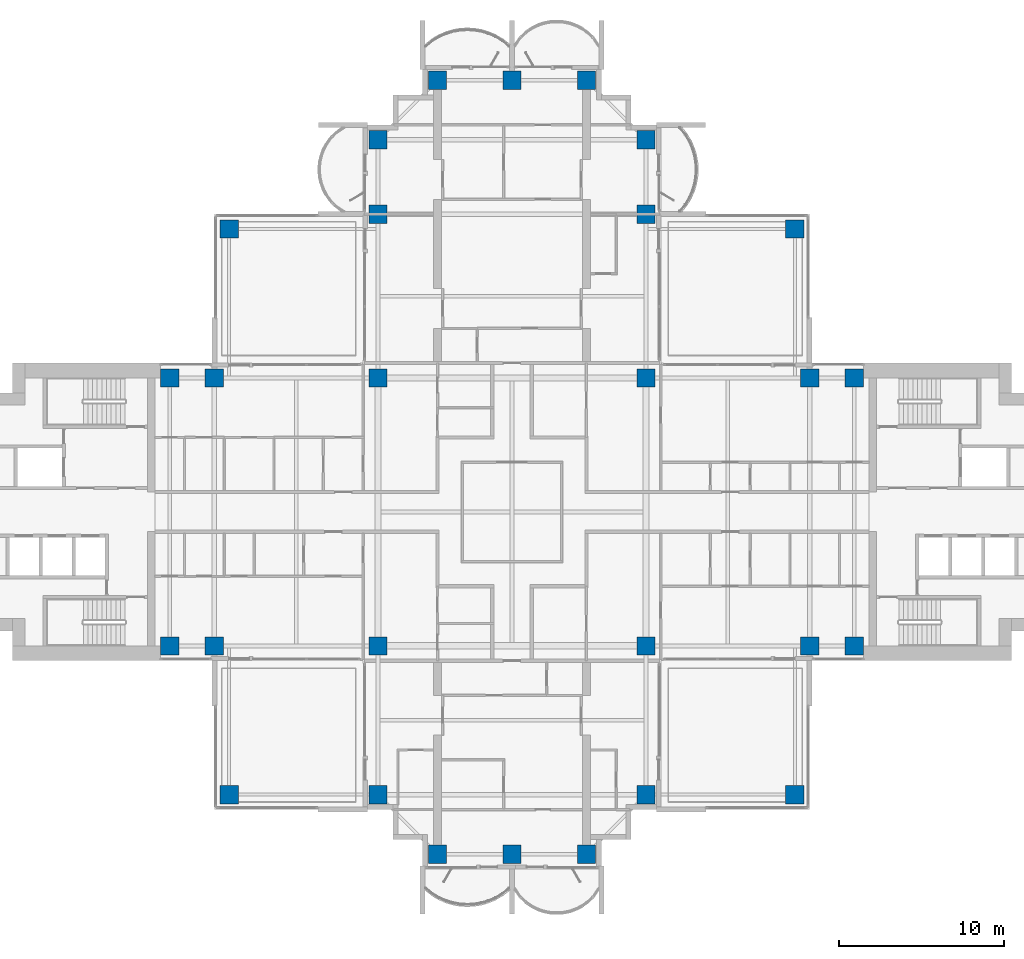
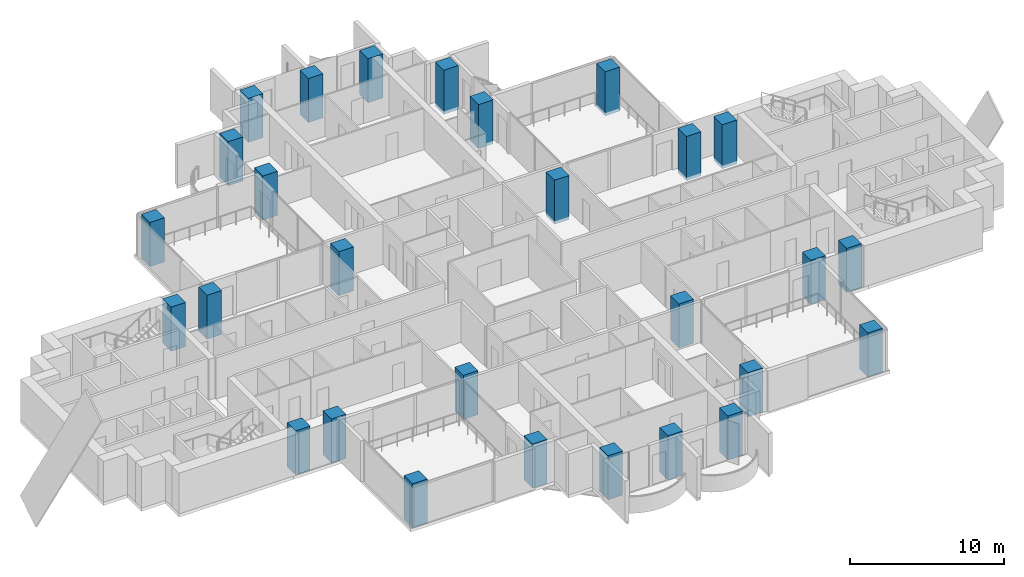
# One storey, part 1 of 18: 28 columns.
"""IFC4 building model written with IfcOpenShell, lengths in metres."""

import ifcopenshell
import ifcopenshell.guid

model = None  # the IFC model being written
_history = None  # IfcOwnerHistory: only IFC2X3 demands one
_inside = {}  # id of a spatial element -> (the spatial element, [elements in it])
_under = {}  # id of a project, library or spatial element -> (it, [spatial elements below it])
_declared = {}  # id of a project -> (the project, [libraries it declares])
_typed = {}  # id of a type object -> (the type object, [elements of that type])
_made_of = {}  # id of a material, layer set ... -> (it, [elements and type objects made of it])


def new_model(schema):
    """Start an empty IFC model of exactly this schema.

    Asked for "IFC4X3", IfcOpenShell would pick the latest addendum, in which some entities
    have other attributes; the version numbers below select the first issue.
    IFC2X3 requires an IfcOwnerHistory on every rooted entity: one is made here for all.
    """
    global model, _history
    if schema == "IFC4X3":
        model = ifcopenshell.file(schema_version=(4, 3, 0, 0))
    else:
        model = ifcopenshell.file(schema=schema)
    _inside.clear()
    _under.clear()
    _declared.clear()
    _typed.clear()
    _made_of.clear()
    _history = None
    if model.schema == "IFC2X3":
        org = make("IfcOrganization", Name="unknown")
        user = make(
            "IfcPersonAndOrganization",
            ThePerson=make("IfcPerson", FamilyName="unknown"),
            TheOrganization=org,
        )
        app = make(
            "IfcApplication",
            ApplicationDeveloper=org,
            Version="unknown",
            ApplicationFullName="unknown",
            ApplicationIdentifier="unknown",
        )
        _history = make(
            "IfcOwnerHistory",
            OwningUser=user,
            OwningApplication=app,
            ChangeAction="ADDED",
            CreationDate=0,
        )
    return model


def make(cls, **values):
    """One entity of the class cls with the attributes given. An attribute that is None is left unset."""
    return model.create_entity(
        cls, **{name: value for name, value in values.items() if value is not None}
    )


def rooted(cls, **values):
    """An entity with a GlobalId (a new one), such as an element, a storey or a relation."""
    return make(cls, GlobalId=ifcopenshell.guid.new(), OwnerHistory=_history, **values)


def si_unit(unit_type, name, prefix=None):
    """IfcSIUnit, for example si_unit("LENGTHUNIT", "METRE", prefix="MILLI")."""
    return make("IfcSIUnit", UnitType=unit_type, Prefix=prefix, Name=name)


def assignment(units):
    """IfcUnitAssignment: the units of a project."""
    return None if units is None else make("IfcUnitAssignment", Units=units)


def point(xyz):
    """IfcCartesianPoint."""
    return None if xyz is None else make("IfcCartesianPoint", Coordinates=xyz)


def direction(xyz):
    """IfcDirection."""
    return None if xyz is None else make("IfcDirection", DirectionRatios=xyz)


def frame(location, z_axis=None, x_axis=None):
    """IfcAxis2Placement3D, a coordinate frame: its origin and axes. An axis left out is left unset."""
    return make(
        "IfcAxis2Placement3D",
        Location=point(location),
        Axis=direction(z_axis),
        RefDirection=direction(x_axis),
    )


def frame_2d(location, x_axis=None):
    """IfcAxis2Placement2D, a coordinate frame in the plane: its origin and x axis."""
    return make(
        "IfcAxis2Placement2D", Location=point(location), RefDirection=direction(x_axis)
    )


def origin():
    """The frame at (0, 0, 0) with its axes left unset."""
    return frame((0.0, 0.0, 0.0))


def origin_2d():
    """The frame at (0, 0) in the plane with its x axis left unset."""
    return frame_2d((0.0, 0.0))


def place(relative_to, where):
    """IfcLocalPlacement: puts the frame where relative to a parent placement (None: the world)."""
    return make(
        "IfcLocalPlacement", PlacementRelTo=relative_to, RelativePlacement=where
    )


def context(
    kind, dimensions, precision=None, world=None, true_north=None, identifier=None
):
    """IfcGeometricRepresentationContext, for example the 3D "Model" context."""
    return make(
        "IfcGeometricRepresentationContext",
        ContextIdentifier=identifier,
        ContextType=kind,
        CoordinateSpaceDimension=dimensions,
        Precision=precision,
        WorldCoordinateSystem=world,
        TrueNorth=true_north,
    )


def subcontext(parent, identifier, kind, view, scale=None):
    """IfcGeometricRepresentationSubContext, for example "Body" below "Model"."""
    return make(
        "IfcGeometricRepresentationSubContext",
        ContextIdentifier=identifier,
        ContextType=kind,
        ParentContext=parent,
        TargetScale=scale,
        TargetView=view,
    )


def project(units=None, contexts=None):
    """IfcProject with its units and contexts."""
    return rooted(
        "IfcProject",
        Name="project",
        RepresentationContexts=contexts,
        UnitsInContext=assignment(units),
    )


def spatial(cls, under=None, at=None, **own):
    """A site, building, storey or space (cls), placed at a placement, below another one or the project."""
    s = rooted(cls, ObjectPlacement=at, **own)
    if under is not None:
        _under.setdefault(under.id(), (under, []))[1].append(s)
    return s


def profile(cls, at=None, kind="AREA", **sizes):
    """A parametric profile (cls). Its sizes go by their IFC names, for example OverallWidth=200.0."""
    return make(cls, ProfileType=kind, Position=at, **sizes)


def rectangle(**sizes):
    """IfcRectangleProfileDef."""
    return profile("IfcRectangleProfileDef", **sizes)


def extrude(swept, where, along, depth):
    """IfcExtrudedAreaSolid: the profile swept, set in the frame where, extruded along a direction by depth."""
    return make(
        "IfcExtrudedAreaSolid",
        SweptArea=swept,
        Position=where,
        ExtrudedDirection=direction(along),
        Depth=depth,
    )


def shape(context_of_items, identifier, shape_type, items):
    """IfcShapeRepresentation: the items that make up one representation, for example the "Body"."""
    return make(
        "IfcShapeRepresentation",
        ContextOfItems=context_of_items,
        RepresentationIdentifier=identifier,
        RepresentationType=shape_type,
        Items=items,
    )


def material(Name=None, Category=None):
    """IfcMaterial."""
    return make("IfcMaterial", Name=Name, Category=Category)


def material_profile(
    of_material, cross_section, Name=None, Category=None, Priority=None
):
    """IfcMaterialProfile: a cross section and its material."""
    return make(
        "IfcMaterialProfile",
        Name=Name,
        Material=of_material,
        Profile=cross_section,
        Priority=Priority,
        Category=Category,
    )


def profile_set(profiles, Name=None, composite=None):
    """IfcMaterialProfileSet."""
    return make(
        "IfcMaterialProfileSet",
        Name=Name,
        MaterialProfiles=profiles,
        CompositeProfile=composite,
    )


def made_of(thing, what):
    """Note that an element or type object is made of a material, layer set ...; save() writes the relation."""
    if what is not None:
        _made_of.setdefault(what.id(), (what, []))[1].append(thing)
    return thing


def type_object(cls, material=None, **own):
    """A type object (cls), such as IfcWallType, which elements share."""
    return made_of(rooted(cls, **own), material)


def element(
    cls,
    number,
    at=None,
    inside=None,
    cuts=None,
    type_object=None,
    material=None,
    context=None,
    identifier="Body",
    shape_type=None,
    held_by="IfcProductDefinitionShape",
    body=None,
    shapes=None,
    **own,
):
    """One element of the class cls, such as IfcWall. Its Tag is "e" and its number.

    at: its placement. inside: the storey or other place that contains it. cuts: it is an
    opening in that element (IfcRelVoidsElement). A single representation is given by context,
    identifier, shape_type and body (its items); several are given by shapes. held_by: the class
    of the entity that holds the representations. save() writes the other relations.
    """
    e = rooted(cls, Tag="e%d" % number, ObjectPlacement=at, **own)
    if body is not None:
        shapes = [shape(context, identifier, shape_type, body)]
    if shapes is not None:
        e.Representation = make(held_by, Representations=shapes)
    if inside is not None:
        _inside.setdefault(inside.id(), (inside, []))[1].append(e)
    if cuts is not None:
        rooted(
            "IfcRelVoidsElement", RelatingBuildingElement=cuts, RelatedOpeningElement=e
        )
    if type_object is not None:
        _typed.setdefault(type_object.id(), (type_object, []))[1].append(e)
    return made_of(e, material)


def aggregate(whole, parts):
    """IfcRelAggregates: a whole, such as a stair, and the parts it consists of."""
    return rooted("IfcRelAggregates", RelatingObject=whole, RelatedObjects=parts)


def save(model, path):
    """Write the relations noted so far, then the file.

    IfcRelAggregates (storeys below a building ...), IfcRelContainedInSpatialStructure (elements
    in a storey), IfcRelDefinesByType, IfcRelAssociatesMaterial and IfcRelDeclares: one each for
    every whole, place, type object, material and project.
    """
    for whole, parts in _under.values():
        aggregate(whole, parts)
    for where, things in _inside.values():
        rooted(
            "IfcRelContainedInSpatialStructure",
            RelatedElements=things,
            RelatingStructure=where,
        )
    for kind, things in _typed.values():
        rooted("IfcRelDefinesByType", RelatedObjects=things, RelatingType=kind)
    for what, things in _made_of.values():
        rooted("IfcRelAssociatesMaterial", RelatedObjects=things, RelatingMaterial=what)
    for by, libraries in _declared.values():
        rooted("IfcRelDeclares", RelatingContext=by, RelatedDefinitions=libraries)
    model.write(path)


model = new_model("IFC4")

# Units and contexts
model_context = context("Model", 3, precision=1e-05, world=origin(), true_north=direction((0.0, 1.0)))
body_context = subcontext(model_context, "Body", "Model", "MODEL_VIEW")
ifc_project = project(units=[si_unit("LENGTHUNIT", "METRE"), si_unit("AREAUNIT", "SQUARE_METRE"), si_unit("VOLUMEUNIT", "CUBIC_METRE"), si_unit("PLANEANGLEUNIT", "RADIAN"), si_unit("MASSUNIT", "GRAM", prefix="KILO")], contexts=[model_context])

# Site, building, storey
site_placement = place(None, origin())
site = spatial("IfcSite", under=ifc_project, at=site_placement, CompositionType="ELEMENT")
building_placement = place(site_placement, origin())
building = spatial("IfcBuilding", under=site, at=building_placement, Name="Perihelion Cross Residences", CompositionType="ELEMENT")
storey_placement = place(building_placement, frame((0.0, 0.0, 133.89990234375)))
storey = spatial("IfcBuildingStorey", under=building, at=storey_placement, Name="L32", CompositionType="ELEMENT", Elevation=133.89990234375)

# Columns
ifc_material = material(Name="Concrete C60/75", Category="concrete")
ifc_material_profile = material_profile(ifc_material, rectangle(XDim=1.10009765625, YDim=1.10009765625, at=origin_2d()), Name="RC 1100x1100")
ifc_profile_set = profile_set([ifc_material_profile], Name="Concrete C60/75")
column_type = type_object("IfcColumnType", Name="Reinforced concrete column 1100x1100 C60/75", PredefinedType="COLUMN", material=ifc_profile_set)
for number, where, z_axis, x_axis, name in (
    (1, (-20.699951171875, -8.10009765625, -0.25), (0.0, 0.0, 1.0), (1.0, 0.0, 0.0), "Column C017 L32 no. 1"),
    (2, (-20.699951171875, 8.10009765625, -0.25), (0.0, 0.0, 1.0), (1.0, 0.0, 0.0), "Column C010 L32 no. 1"),
    (3, (-18.0, -8.10009765625, -0.25), (0.0, 0.0, 1.0), (1.0, 0.0, 0.0), "Column C018 L32 no. 1"),
    (4, (-18.0, 8.10009765625, -0.25), (0.0, 0.0, 1.0), (1.0, 0.0, 0.0), "Column C011 L32 no. 1"),
    (5, (-8.10009765625, -17.10009765625, -0.25), (0.0, 0.0, 1.0), (1.0, 0.0, 0.0), "Column C031 L32 no. 1"),
    (6, (-8.10009765625, -8.10009765625, -0.25), (0.0, 0.0, 1.0), (1.0, 0.0, 0.0), "Column C019 L32 no. 1"),
    (7, (-8.10009765625, 8.10009765625, -0.25), (0.0, 0.0, 1.0), (1.0, 0.0, 0.0), "Column C012 L32 no. 1"),
    (8, (-8.10009765625, 18.0, -0.25), (0.0, 0.0, 1.0), (1.0, 0.0, 0.0), "Column C006 L32 no. 1"),
    (9, (-8.10009765625, 22.5, -0.25), (0.0, 0.0, 1.0), (1.0, 0.0, 0.0), "Column C004 L32 no. 1"),
    (10, (-4.5, -20.699951171875, -0.25), (0.0, 0.0, 1.0), (1.0, 0.0, 0.0), "Column C037 L32 no. 1"),
    (11, (-4.5, 26.10009765625, -0.25), (0.0, 0.0, 1.0), (1.0, 0.0, 0.0), "Column C001 L32 no. 1"),
    (12, (0.0, -20.699951171875, -0.25), (0.0, 0.0, 1.0), (1.0, 0.0, 0.0), "Column C038 L32 no. 1"),
    (13, (0.0, 26.10009765625, -0.25), (0.0, 0.0, 1.0), (1.0, 0.0, 0.0), "Column C002 L32 no. 1"),
    (14, (4.5, -20.699951171875, -0.25), (0.0, 0.0, 1.0), (1.0, 0.0, 0.0), "Column C039 L32 no. 1"),
    (15, (4.5, 26.10009765625, -0.25), (0.0, 0.0, 1.0), (1.0, 0.0, 0.0), "Column C003 L32 no. 1"),
    (16, (8.10009765625, -17.10009765625, -0.25), (0.0, 0.0, 1.0), (1.0, 0.0, 0.0), "Column C035 L32 no. 1"),
    (17, (8.10009765625, -8.10009765625, -0.25), (0.0, 0.0, 1.0), (1.0, 0.0, 0.0), "Column C020 L32 no. 1"),
    (18, (8.10009765625, 8.10009765625, -0.25), (0.0, 0.0, 1.0), (1.0, 0.0, 0.0), "Column C014 L32 no. 1"),
    (19, (8.10009765625, 18.0, -0.25), (0.0, 0.0, 1.0), (1.0, 0.0, 0.0), "Column C007 L32 no. 1"),
    (20, (8.10009765625, 22.5, -0.25), (0.0, 0.0, 1.0), (1.0, 0.0, 0.0), "Column C005 L32 no. 1"),
    (21, (18.0, -8.10009765625, -0.25), (0.0, 0.0, 1.0), (1.0, 0.0, 0.0), "Column C021 L32 no. 1"),
    (22, (18.0, 8.10009765625, -0.25), (0.0, 0.0, 1.0), (1.0, 0.0, 0.0), "Column C015 L32 no. 1"),
    (23, (20.699951171875, -8.10009765625, -0.25), (0.0, 0.0, 1.0), (1.0, 0.0, 0.0), "Column C022 L32 no. 1"),
    (24, (20.699951171875, 8.10009765625, -0.25), (0.0, 0.0, 1.0), (1.0, 0.0, 0.0), "Column C016 L32 no. 1"),
    (25, (17.10009765625, 17.10009765625, -0.25), (0.0, 0.0, 1.0), (1.0, 0.0, 0.0), "Column C009 L32 no. 1"),
    (26, (-17.10009765625, 17.10009765625, -0.25), (0.0, 0.0, 1.0), (1.0, 0.0, 0.0), "Column C008 L32 no. 1"),
    (27, (-17.10009765625, -17.10009765625, -0.25), (0.0, 0.0, 1.0), (1.0, 0.0, 0.0), "Column C030 L32 no. 1"),
    (28, (17.10009765625, -17.10009765625, -0.25), (0.0, 0.0, 1.0), (1.0, 0.0, 0.0), "Column C036 L32 no. 1"),
):
    element("IfcColumn", number, at=place(storey_placement, frame(where, z_axis=z_axis, x_axis=x_axis)), inside=storey, type_object=column_type, Name=name, PredefinedType="COLUMN", context=body_context, shape_type="SweptSolid", body=[
        extrude(rectangle(XDim=1.10009765625, YDim=1.10009765625, at=origin_2d()), origin(), (0.0, 0.0, 1.0), 3.5),
    ])

save(model, "model.ifc")
